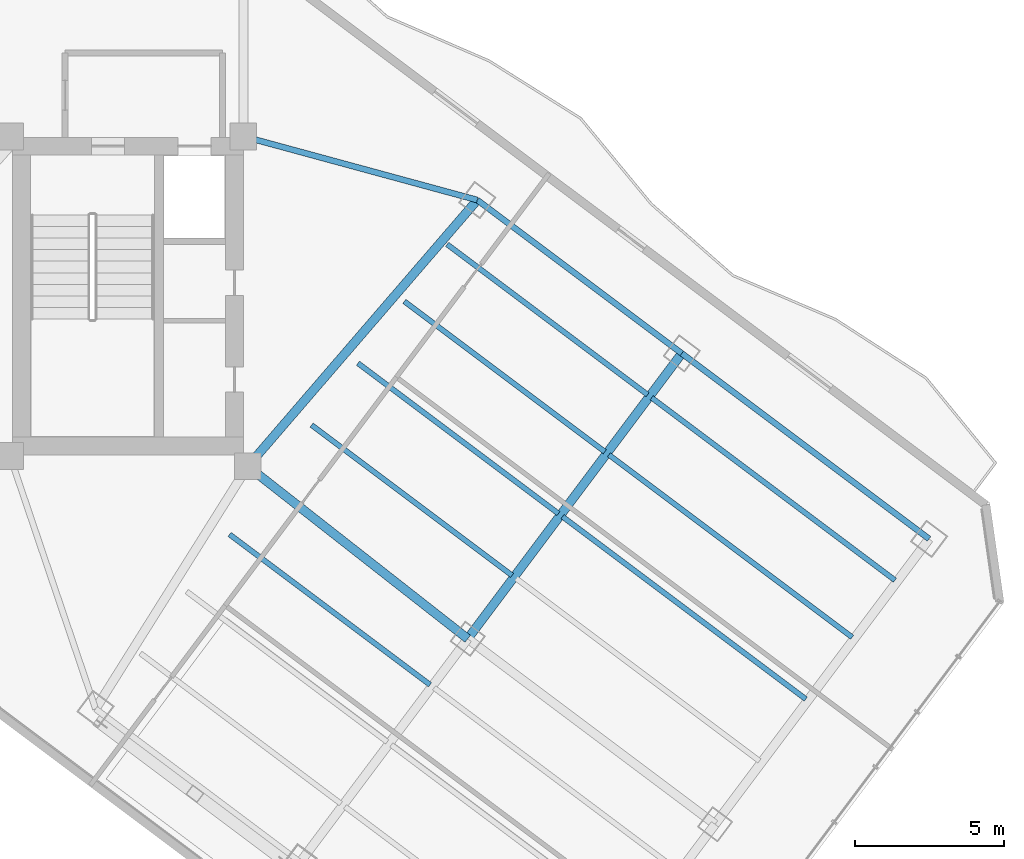
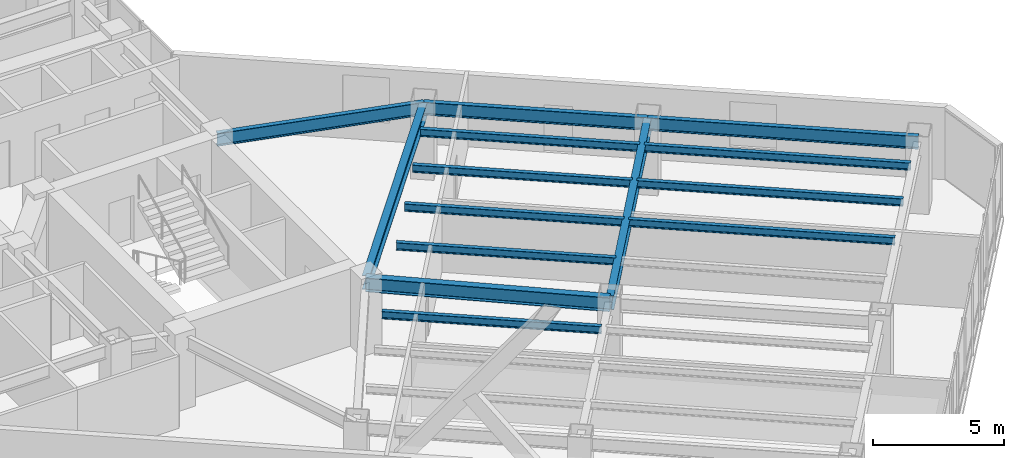
# One storey, part 11 of 29: 14 beams.
"""IFC4 building model written with IfcOpenShell, lengths in metres."""

from ifc_helpers import new_model, si_unit, direction, frame, origin, origin_2d, place, context, subcontext, project, spatial, i_section, extrude, material, material_profile, profile_set, type_object, element, save


model = new_model("IFC4")

# Units and contexts
model_context = context("Model", 3, precision=1e-05, world=origin(), true_north=direction((0.0, 1.0)))
body_context = subcontext(model_context, "Body", "Model", "MODEL_VIEW")
ifc_project = project(units=[si_unit("LENGTHUNIT", "METRE"), si_unit("AREAUNIT", "SQUARE_METRE"), si_unit("VOLUMEUNIT", "CUBIC_METRE"), si_unit("PLANEANGLEUNIT", "RADIAN"), si_unit("MASSUNIT", "GRAM", prefix="KILO")], contexts=[model_context])

# Site, building, storey
site_placement = place(None, origin())
site = spatial("IfcSite", under=ifc_project, at=site_placement, CompositionType="ELEMENT")
building_placement = place(site_placement, origin())
building = spatial("IfcBuilding", under=site, at=building_placement, Name="Hatsunagi Terrace Concourse", CompositionType="ELEMENT")
storey_placement = place(building_placement, frame((0.0, 0.0, 108.449951171875)))
storey = spatial("IfcBuildingStorey", under=building, at=storey_placement, Name="L28", CompositionType="ELEMENT", Elevation=108.449951171875)

# Beams
ifc_material_1 = material(Name="Steel SN490B", Category="steel")
ifc_material_profile_1 = material_profile(ifc_material_1, i_section(OverallWidth=0.175048828125, OverallDepth=0.35009765625, WebThickness=0.007080078125, FlangeThickness=0.010986328125, FilletRadius=0.012939453125, at=origin_2d()), Name="H-350x175x7x11")
ifc_profile_set_1 = profile_set([ifc_material_profile_1], Name="Steel SN490B")
beam_type_1 = type_object("IfcBeamType", Name="HotelJoist_H_350x175", PredefinedType="JOIST", material=ifc_profile_set_1)
for number, where, z_axis, x_axis, name in (
    (1, (43.18798828125, 21.908935546875, 3.175048828125), (0.800003475366, -0.59999536615, 0.0), (0.59999536615, 0.800003475366, 0.0), "Beam J-02 J-L28-SE-2-96"),
    (2, (45.947998046875, 25.589111328125, 3.175048828125), (0.799989573921, -0.600013901187, 0.0), (0.600013901187, 0.799989573921, 0.0), "Beam J-02 J-L28-SE-2-142"),
    (3, (47.508056640625, 27.6689453125, 3.175048828125), (0.800003475366, -0.59999536615, 0.0), (0.59999536615, 0.800003475366, 0.0), "Beam J-02 J-L28-SE-2-168"),
    (4, (49.068115234375, 29.7490234375, 3.175048828125), (0.799989573921, -0.600013901187, 0.0), (0.600013901187, 0.799989573921, 0.0), "Beam J-02 J-L28-SE-2-194"),
    (5, (50.508056640625, 31.6689453125, 3.175048828125), (0.800003475366, -0.59999536615, 0.0), (0.59999536615, 0.800003475366, 0.0), "Beam J-02 J-L28-SE-2-218"),
):
    element("IfcBeam", number, at=place(storey_placement, frame(where, z_axis=z_axis, x_axis=x_axis)), inside=storey, type_object=beam_type_1, Name=name, PredefinedType="JOIST", context=body_context, shape_type="SweptSolid", body=[
        extrude(i_section(OverallWidth=0.175048828125, OverallDepth=0.35009765625, WebThickness=0.007080078125, FlangeThickness=0.010986328125, FilletRadius=0.012939453125, at=origin_2d()), origin(), (0.0, 0.0, 1.0), 8.429931640625),
    ])
beam_1_placement = place(storey_placement, frame((54.387939453125, 22.509033203125, 3.175048828125), z_axis=(0.800005727586, -0.599992363142, 0.0), x_axis=(0.599992363142, 0.800005727586, 0.0)))
element("IfcBeam", 6, at=beam_1_placement, inside=storey, type_object=beam_type_1, Name="Beam J-02 J-L28-SE-3-168", PredefinedType="JOIST", context=body_context, shape_type="SweptSolid", body=[
    extrude(i_section(OverallWidth=0.175048828125, OverallDepth=0.35009765625, WebThickness=0.007080078125, FlangeThickness=0.010986328125, FilletRadius=0.012939453125, at=origin_2d()), origin(), (0.0, 0.0, 1.0), 10.22998046875),
])
beam_2_placement = place(storey_placement, frame((55.947998046875, 24.589111328125, 3.175048828125), z_axis=(0.799994272423, -0.600007636694, 0.0), x_axis=(0.600007636694, 0.799994272423, 0.0)))
element("IfcBeam", 7, at=beam_2_placement, inside=storey, type_object=beam_type_1, Name="Beam J-02 J-L28-SE-3-194", PredefinedType="JOIST", context=body_context, shape_type="SweptSolid", body=[
    extrude(i_section(OverallWidth=0.175048828125, OverallDepth=0.35009765625, WebThickness=0.007080078125, FlangeThickness=0.010986328125, FilletRadius=0.012939453125, at=origin_2d()), origin(), (0.0, 0.0, 1.0), 10.230224609375),
])
beam_3_placement = place(storey_placement, frame((57.387939453125, 26.509033203125, 3.175048828125), z_axis=(0.800005727586, -0.599992363142, 0.0), x_axis=(0.599992363142, 0.800005727586, 0.0)))
element("IfcBeam", 8, at=beam_3_placement, inside=storey, type_object=beam_type_1, Name="Beam J-02 J-L28-SE-3-218", PredefinedType="JOIST", context=body_context, shape_type="SweptSolid", body=[
    extrude(i_section(OverallWidth=0.175048828125, OverallDepth=0.35009765625, WebThickness=0.007080078125, FlangeThickness=0.010986328125, FilletRadius=0.012939453125, at=origin_2d()), origin(), (0.0, 0.0, 1.0), 10.22998046875),
])
ifc_material_2 = material(Name="Steel SN490B", Category="steel")
ifc_material_profile_2 = material_profile(ifc_material_2, i_section(OverallWidth=0.300048828125, OverallDepth=0.64990234375, WebThickness=0.012939453125, FlangeThickness=0.02197265625, FilletRadius=0.01806640625, at=origin_2d()), Name="H-650x300x13x22")
ifc_profile_set_2 = profile_set([ifc_material_profile_2], Name="Steel SN490B")
beam_type_2 = type_object("IfcBeamType", Name="OfficeLowGirder_H_650x300", PredefinedType="BEAM", material=ifc_profile_set_2)
beam_4_placement = place(storey_placement, frame((43.800048828125, 24.199951171875, 3.025146484375), z_axis=(0.652739101421, 0.757582777969, 0.0), x_axis=(-0.757582777969, 0.652739101421, 0.0)))
element("IfcBeam", 9, at=beam_4_placement, inside=storey, type_object=beam_type_2, Name="Beam G-05 BM-L28-SET-1B", PredefinedType="BEAM", context=body_context, shape_type="SweptSolid", body=[
    extrude(i_section(OverallWidth=0.300048828125, OverallDepth=0.64990234375, WebThickness=0.012939453125, FlangeThickness=0.02197265625, FilletRadius=0.01806640625, at=origin_2d()), origin(), (0.0, 0.0, 1.0), 11.8271484375),
])
beam_5_placement = place(storey_placement, frame((43.800048828125, 24.199951171875, 3.025146484375), z_axis=(0.787049441068, -0.616889923175, 0.0), x_axis=(0.616889923175, 0.787049441068, 0.0)))
element("IfcBeam", 10, at=beam_5_placement, inside=storey, type_object=beam_type_2, Name="Beam G-05 BM-L28-SE-M2", PredefinedType="BEAM", context=body_context, shape_type="SweptSolid", body=[
    extrude(i_section(OverallWidth=0.300048828125, OverallDepth=0.64990234375, WebThickness=0.012939453125, FlangeThickness=0.02197265625, FilletRadius=0.01806640625, at=origin_2d()), origin(), (0.0, 0.0, 1.0), 9.402099609375),
])
beam_6_placement = place(storey_placement, frame((51.199951171875, 18.39990234375, 3.025146484375), z_axis=(0.59999348959, 0.800004882766, 0.0), x_axis=(-0.800004882766, 0.59999348959, 0.0)))
element("IfcBeam", 11, at=beam_6_placement, inside=storey, type_object=beam_type_2, Name="Beam G-05 BM-L28-SET-2B", PredefinedType="BEAM", context=body_context, shape_type="SweptSolid", body=[
    extrude(i_section(OverallWidth=0.300048828125, OverallDepth=0.64990234375, WebThickness=0.012939453125, FlangeThickness=0.02197265625, FilletRadius=0.01806640625, at=origin_2d()), origin(), (0.0, 0.0, 1.0), 12.0),
])
ifc_material_3 = material(Name="Steel SN490B", Category="steel")
ifc_material_profile_3 = material_profile(ifc_material_3, i_section(OverallWidth=0.199951171875, OverallDepth=0.60009765625, WebThickness=0.010986328125, FlangeThickness=0.01708984375, FilletRadius=0.01806640625, at=origin_2d()), Name="H-600x200x11x17")
ifc_profile_set_3 = profile_set([ifc_material_profile_3], Name="Steel SN490B")
beam_type_3 = type_object("IfcBeamType", Name="PerimeterSpandrel_H_600x200", PredefinedType="SPANDREL", material=ifc_profile_set_3)
beam_7_placement = place(storey_placement, frame((43.64990234375, 35.300048828125, 3.050048828125), z_axis=(0.964958359286, -0.262403057994, 0.0), x_axis=(0.262403057994, 0.964958359286, 0.0)))
element("IfcBeam", 12, at=beam_7_placement, inside=storey, type_object=beam_type_3, Name="Beam SP-01 BM-L28-SE-NE0", PredefinedType="SPANDREL", context=body_context, shape_type="SweptSolid", body=[
    extrude(i_section(OverallWidth=0.199951171875, OverallDepth=0.60009765625, WebThickness=0.010986328125, FlangeThickness=0.01708984375, FilletRadius=0.01806640625, at=origin_2d()), origin(), (0.0, 0.0, 1.0), 8.156005859375),
])
beam_8_placement = place(storey_placement, frame((51.52001953125, 33.159912109375, 3.050048828125), z_axis=(0.8, -0.6, 0.0), x_axis=(0.6, 0.8, 0.0)))
element("IfcBeam", 13, at=beam_8_placement, inside=storey, type_object=beam_type_3, Name="Beam SP-01 BM-L28-SE-NE2", PredefinedType="SPANDREL", context=body_context, shape_type="SweptSolid", body=[
    extrude(i_section(OverallWidth=0.199951171875, OverallDepth=0.60009765625, WebThickness=0.010986328125, FlangeThickness=0.01708984375, FilletRadius=0.01806640625, at=origin_2d()), origin(), (0.0, 0.0, 1.0), 8.599853515625),
])
beam_9_placement = place(storey_placement, frame((58.39990234375, 28.0, 3.050048828125), z_axis=(0.800002816985, -0.599996244001, 0.0), x_axis=(0.599996244001, 0.800002816985, 0.0)))
element("IfcBeam", 14, at=beam_9_placement, inside=storey, type_object=beam_type_3, Name="Beam SP-01 BM-L28-SE-NE3", PredefinedType="SPANDREL", context=body_context, shape_type="SweptSolid", body=[
    extrude(i_section(OverallWidth=0.199951171875, OverallDepth=0.60009765625, WebThickness=0.010986328125, FlangeThickness=0.01708984375, FilletRadius=0.01806640625, at=origin_2d()), origin(), (0.0, 0.0, 1.0), 10.400146484375),
])

save(model, "model.ifc")
